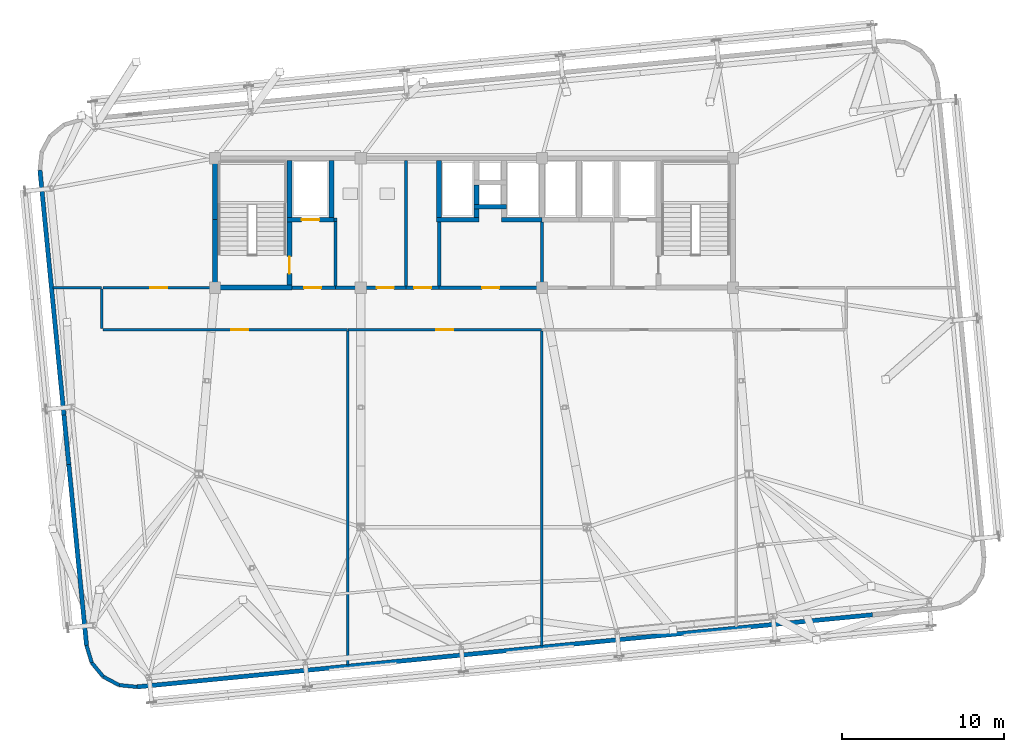
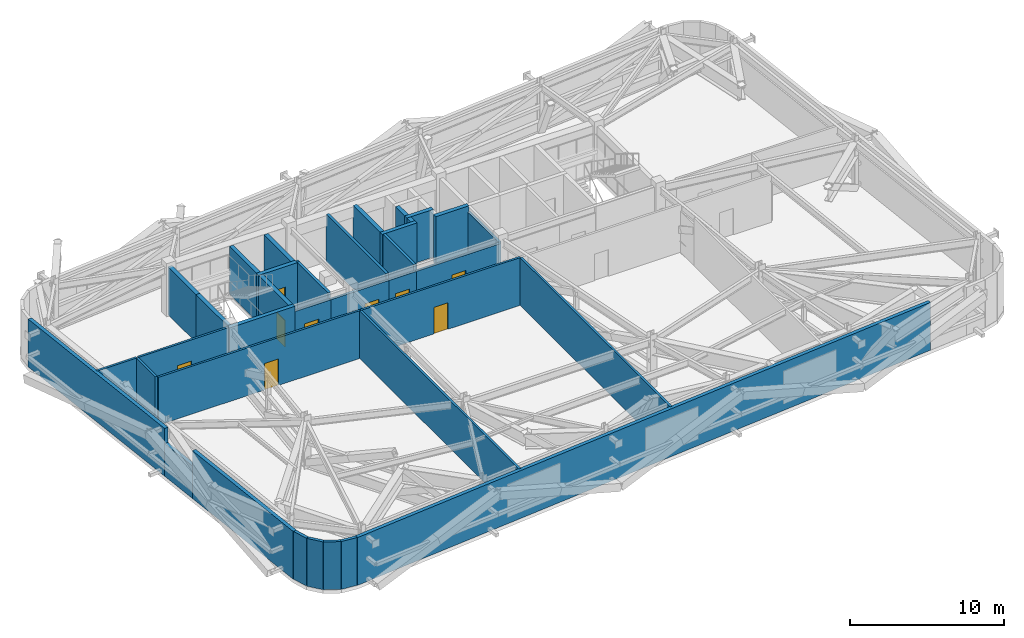
# One storey, part 21 of 24: 37 walls, 9 doors, 9 openings.
"""IFC4 building model written with IfcOpenShell, lengths in metres."""

from ifc_helpers import new_model, si_unit, direction, frame, frame_2d, origin, place, context, subcontext, project, spatial, rectangle, extrude, source, transform, mapped, material, layer, layer_set, type_object, element, fill, save


model = new_model("IFC4")

# Units and contexts
model_context = context("Model", 3, precision=1e-05, world=origin(), true_north=direction((0.0, 1.0)))
body_context = subcontext(model_context, "Body", "Model", "MODEL_VIEW")
ifc_project = project(units=[si_unit("LENGTHUNIT", "METRE"), si_unit("AREAUNIT", "SQUARE_METRE"), si_unit("VOLUMEUNIT", "CUBIC_METRE"), si_unit("PLANEANGLEUNIT", "RADIAN"), si_unit("MASSUNIT", "GRAM", prefix="KILO")], contexts=[model_context])

# Site, building, storey
site_placement = place(None, origin())
site = spatial("IfcSite", under=ifc_project, at=site_placement, CompositionType="ELEMENT")
building_placement = place(site_placement, origin())
building = spatial("IfcBuilding", under=site, at=building_placement, Name="Taldren Reach Tower", CompositionType="ELEMENT")
storey_placement = place(building_placement, frame((0.0, 0.0, 112.35009765625)))
storey = spatial("IfcBuildingStorey", under=building, at=storey_placement, Name="L34", CompositionType="ELEMENT", Elevation=112.35009765625)

# Walls
ifc_material_1 = material(Name="Pale Champagne Anodised Aluminium Cladding", Category="aluminium")
ifc_layer_1 = layer(ifc_material_1, 0.04, Name="Pale Champagne Anodised Aluminium Cladding", Category="aluminium")
ifc_material_2 = material(Name="Mineral Wool Acoustic Insulation", Category="insulation")
ifc_layer_2 = layer(ifc_material_2, 0.06, Name="Mineral Wool Acoustic Insulation", Category="insulation")
ifc_material_3 = material(Name="Steel Gr 350 (C350L0)", Category="steel")
ifc_layer_3 = layer(ifc_material_3, 0.12, Name="Steel Gr 350 (C350L0)", Category="steel")
ifc_layer_set_1 = layer_set([ifc_layer_1, ifc_layer_2, ifc_layer_3], Name="Pale Champagne Aluminium Cladding and Steel Gr 350 Stud Framing")
wall_type_1 = type_object("IfcWallType", Name="EW-CRN-220", PredefinedType="SOLIDWALL", material=ifc_layer_set_1)
shared_shape_1 = source(origin(), body_context, "Body", "SweptSolid", [
    extrude(rectangle(XDim=1.11572265625, YDim=0.219970703125, at=frame_2d((0.557861328125, 0.0))), origin(), (0.0, 0.0, 1.0), 3.77978515625),
])
wall_1_placement = place(storey_placement, frame((12.09326171875, -0.029296875, 0.0), z_axis=(0.0, 0.0, 1.0), x_axis=(0.881746547635, -0.471723463201, 0.0)))
element("IfcWall", 1, at=wall_1_placement, inside=storey, type_object=wall_type_1, Name="Rounded-corner pale-metal facade wall L34-SW3", PredefinedType="SOLIDWALL", context=body_context, shape_type="MappedRepresentation", body=[
    mapped(shared_shape_1, transform((0.0, 0.0, 0.0), scale=1.0)),
])
shared_shape_2 = source(origin(), body_context, "Body", "SweptSolid", [
    extrude(rectangle(XDim=1.115966796875, YDim=0.219970703125, at=frame_2d((0.55810546875, 0.0))), origin(), (0.0, 0.0, 1.0), 3.77978515625),
])
for number, where, z_axis, x_axis, name in (
    (2, (11.062255859375, 1.90185546875, 0.0), (0.0, 0.0, 1.0), (0.289855603468, -0.957070388811, 0.0), "Rounded-corner pale-metal facade wall L34-SW1"),
    (3, (11.3857421875, 0.833740234375, 0.0), (0.0, 0.0, 1.0), (0.633988016432, -0.773342870285, 0.0), "Rounded-corner pale-metal facade wall L34-SW2"),
    (4, (13.0771484375, -0.5556640625, 0.0), (0.0, 0.0, 1.0), (0.995142755671, -0.09844234778, 0.0), "Rounded-corner pale-metal facade wall L34-SW4"),
):
    element("IfcWall", number, at=place(storey_placement, frame(where, z_axis=z_axis, x_axis=x_axis)), inside=storey, type_object=wall_type_1, Name=name, PredefinedType="SOLIDWALL", context=body_context, shape_type="MappedRepresentation", body=[
        mapped(shared_shape_2, transform((0.0, 0.0, 0.0), scale=1.0)),
    ])
ifc_material_4 = material(Name="Perforated Anodised Aluminium Acoustic Liner", Category="aluminium")
ifc_layer_4 = layer(ifc_material_4, 0.04, Name="Perforated Anodised Aluminium Acoustic Liner", Category="aluminium")
ifc_layer_5 = layer(ifc_material_2, 0.08, Name="Mineral Wool Acoustic Insulation", Category="insulation")
ifc_layer_6 = layer(ifc_material_3, 0.15, Name="Steel Gr 350 (C350L0)", Category="steel")
ifc_layer_set_2 = layer_set([ifc_layer_4, ifc_layer_5, ifc_layer_6], Name="Perforated Anodised Aluminium Liner and Steel Gr 350 Stud Framing")
wall_type_2 = type_object("IfcWallType", Name="EW-PLT-270", PredefinedType="SOLIDWALL", material=ifc_layer_set_2)
shared_shape_3 = source(origin(), body_context, "Body", "SweptSolid", [
    extrude(rectangle(XDim=45.648681640625, YDim=0.27001953125, at=frame_2d((22.82421875, 0.0))), origin(), (0.0, 0.0, 1.0), 3.77978515625),
])
wall_2_placement = place(storey_placement, frame((14.187744140625, -0.66552734375, 0.0), z_axis=(0.0, 0.0, 1.0), x_axis=(0.995227292868, 0.097583992185, 0.0)))
element("IfcWall", 5, at=wall_2_placement, inside=storey, type_object=wall_type_2, Name="Plant floor perimeter enclosure wall L34-S", PredefinedType="SOLIDWALL", context=body_context, shape_type="MappedRepresentation", body=[
    mapped(shared_shape_3, transform((0.0, 0.0, 0.0), scale=1.0)),
])
shared_shape_4 = source(origin(), body_context, "Body", "SweptSolid", [
    extrude(rectangle(XDim=15.20654296875, YDim=0.27001953125, at=frame_2d((7.603271484375, 0.0))), origin(), (0.0, 0.0, 1.0), 3.77978515625),
])
wall_3_placement = place(storey_placement, frame((8.18359375, 31.260986328125, 0.0), z_axis=(0.0, 0.0, 1.0), x_axis=(0.097581713594, -0.995227516286, 0.0)))
element("IfcWall", 6, at=wall_3_placement, inside=storey, type_object=wall_type_2, Name="Plant floor perimeter enclosure wall L34-W", PredefinedType="SOLIDWALL", context=body_context, shape_type="MappedRepresentation", body=[
    mapped(shared_shape_4, transform((0.0, 0.0, 0.0), scale=1.0)),
])
shared_shape_5 = source(origin(), body_context, "Body", "SweptSolid", [
    extrude(rectangle(XDim=3.06884765625, YDim=0.27001953125, at=frame_2d((1.534423828125, 0.0))), origin(), (0.0, 0.0, 1.0), 2.579833984375),
])
wall_4_placement = place(storey_placement, frame((9.66748046875, 16.126953125, 0.0), z_axis=(0.0, 0.0, 1.0), x_axis=(0.097613139973, -0.995224434439, 0.0)))
element("IfcWall", 7, at=wall_4_placement, inside=storey, type_object=wall_type_2, Name="Plant floor perimeter enclosure wall L34-W part 2", PredefinedType="SOLIDWALL", context=body_context, shape_type="MappedRepresentation", body=[
    mapped(shared_shape_5, transform((0.0, 0.0, 0.0), scale=1.0)),
])
shared_shape_6 = source(origin(), body_context, "Body", "SweptSolid", [
    extrude(rectangle(XDim=11.224365234375, YDim=0.27001953125, at=frame_2d((5.6123046875, 0.0))), origin(), (0.0, 0.0, 1.0), 3.77978515625),
])
wall_5_placement = place(storey_placement, frame((9.967041015625, 13.07275390625, 0.0), z_axis=(0.0, 0.0, 1.0), x_axis=(0.097573958584, -0.995228276631, 0.0)))
element("IfcWall", 8, at=wall_5_placement, inside=storey, type_object=wall_type_2, Name="Plant floor perimeter enclosure wall L34-W part 3", PredefinedType="SOLIDWALL", context=body_context, shape_type="MappedRepresentation", body=[
    mapped(shared_shape_6, transform((0.0, 0.0, 0.0), scale=1.0)),
])
ifc_material_5 = material(Name="Concrete S65 (65 MPa)", Category="concrete")
ifc_layer_7 = layer(ifc_material_5, 0.300048828125)
ifc_layer_set_3 = layer_set([ifc_layer_7], Name="Concrete S65 (65 MPa)")
wall_type_3 = type_object("IfcWallType", Name="IW-CORE-300", PredefinedType="SHEAR", material=ifc_layer_set_3)
shared_shape_7 = source(origin(), body_context, "Body", "SweptSolid", [
    extrude(rectangle(XDim=4.050048828125, YDim=0.300048828125, at=frame_2d((2.02490234375, 0.0))), origin(), (0.0, 0.0, 1.0), 3.77978515625),
])
wall_6_placement = place(storey_placement, frame((19.0, 24.14990234375, 0.0), z_axis=(0.0, 0.0, 1.0), x_axis=(0.0, 1.0, 0.0)))
element("IfcWall", 9, at=wall_6_placement, inside=storey, type_object=wall_type_3, Name="Rear Core Shear Wall W-CORE-L34-WEST1", PredefinedType="SHEAR", context=body_context, shape_type="MappedRepresentation", body=[
    mapped(shared_shape_7, transform((0.0, 0.0, 0.0), scale=1.0)),
])
shared_shape_8 = source(origin(), body_context, "Body", "SweptSolid", [
    extrude(rectangle(XDim=3.650146484375, YDim=0.300048828125, at=frame_2d((1.8251953125, 0.0))), origin(), (0.0, 0.0, 1.0), 3.77978515625),
])
wall_7_placement = place(storey_placement, frame((19.0, 28.199951171875, 0.0), z_axis=(0.0, 0.0, 1.0), x_axis=(0.0, 1.0, 0.0)))
element("IfcWall", 10, at=wall_7_placement, inside=storey, type_object=wall_type_3, Name="Rear Core Shear Wall W-CORE-L34-WEST2", PredefinedType="SHEAR", context=body_context, shape_type="MappedRepresentation", body=[
    mapped(shared_shape_8, transform((0.0, 0.0, 0.0), scale=1.0)),
])
shared_shape_9 = source(origin(), body_context, "Body", "SweptSolid", [
    extrude(rectangle(XDim=3.5, YDim=0.300048828125, at=frame_2d((1.75, 0.0))), origin(), (0.0, 0.0, 1.0), 3.77978515625),
])
for number, where, z_axis, x_axis, name in (
    (11, (23.60009765625, 28.35009765625, 0.0), (0.0, 0.0, 1.0), (0.0, 1.0, 0.0), "Rear Core Shear Wall W-INT-L34-001"),
    (12, (26.199951171875, 28.35009765625, 0.0), (0.0, 0.0, 1.0), (0.0, 1.0, 0.0), "Rear Core Shear Wall W-INT-L34-005"),
    (13, (32.85009765625, 31.85009765625, 0.0), (0.0, 0.0, 1.0), (0.0, -1.0, 0.0), "Rear Core Shear Wall W-INT-L34-023"),
):
    element("IfcWall", number, at=place(storey_placement, frame(where, z_axis=z_axis, x_axis=x_axis)), inside=storey, type_object=wall_type_3, Name=name, PredefinedType="SHEAR", context=body_context, shape_type="MappedRepresentation", body=[
        mapped(shared_shape_9, transform((0.0, 0.0, 0.0), scale=1.0)),
    ])

# Wall, opening, door
shared_shape_10 = source(origin(), body_context, "Body", "SweptSolid", [
    extrude(rectangle(XDim=3.900146484375, YDim=0.300048828125, at=frame_2d((1.9501953125, 0.0))), origin(), (0.0, 0.0, 1.0), 3.77978515625),
])
wall_8_placement = place(storey_placement, frame((23.60009765625, 24.14990234375, 0.0), z_axis=(0.0, 0.0, 1.0), x_axis=(0.0, 1.0, 0.0)))
wall_8 = element("IfcWall", 14, at=wall_8_placement, inside=storey, type_object=wall_type_3, Name="Rear Core Shear Wall W-INT-L34-002", PredefinedType="SHEAR", context=body_context, shape_type="MappedRepresentation", body=[
    mapped(shared_shape_10, transform((0.0, 0.0, 0.0), scale=1.0)),
])
shared_shape_11 = source(origin(), body_context, "Body", "SweptSolid", [
    extrude(rectangle(XDim=1.050048828125, YDim=2.10009765625, at=frame_2d((0.52490234375, 1.050048828125))), frame((0.0, 0.16015625, 0.0), z_axis=(0.0, -1.0, 0.0), x_axis=(1.0, 0.0, 0.0)), (0.0, 0.0, 1.0), 0.320068359375),
])
opening_1_placement = place(wall_8_placement, frame((0.72509765625, 0.0, 0.0)))
opening_1 = element("IfcOpeningElement", 15, at=opening_1_placement, cuts=wall_8, Name="Opening DF-105", PredefinedType="OPENING", context=body_context, shape_type="MappedRepresentation", body=[
    mapped(shared_shape_11, transform((0.0, 0.0, 0.0), scale=1.0)),
])
ifc_material_6 = material(Name="Fire-Rated Care and Stair Exit Door")
door_type_1 = type_object("IfcDoorType", Name="ID-FIRE-105", OperationType="NOTDEFINED", PredefinedType="DOOR", material=ifc_material_6)
shared_shape_12 = source(origin(), body_context, "Body", "SweptSolid", [
    extrude(rectangle(XDim=1.050048828125, YDim=2.10009765625, at=frame_2d((0.52490234375, 1.050048828125))), frame((0.0, 0.02490234375, 0.0), z_axis=(0.0, -1.0, 0.0), x_axis=(1.0, 0.0, 0.0)), (0.0, 0.0, 1.0), 0.050048828125),
])
door_1_placement = place(opening_1_placement, origin())
door_1 = element("IfcDoor", 16, at=door_1_placement, inside=storey, type_object=door_type_1, Name="Fire Exit Stair Door DR-L34-001", OperationType="SINGLE_SWING_LEFT", OverallHeight=2.10009765625, OverallWidth=1.050048828125, PredefinedType="DOOR", context=body_context, shape_type="MappedRepresentation", body=[
    mapped(shared_shape_12, transform((0.0, 0.0, 0.0), scale=1.0)),
])
fill(opening_1, door_1)

# Wall
shared_shape_13 = source(origin(), body_context, "Body", "SweptSolid", [
    extrude(rectangle(XDim=4.89990234375, YDim=0.300048828125, at=frame_2d((2.449951171875, 0.0))), origin(), (0.0, 0.0, 1.0), 3.77978515625),
])
wall_9_placement = place(storey_placement, frame((18.85009765625, 24.0, 0.0), z_axis=(0.0, 0.0, 1.0), x_axis=(1.0, 0.0, 0.0)))
element("IfcWall", 17, at=wall_9_placement, inside=storey, type_object=wall_type_3, Name="Rear Core Shear Wall W-INT-L34-003", PredefinedType="SHEAR", context=body_context, shape_type="MappedRepresentation", body=[
    mapped(shared_shape_13, transform((0.0, 0.0, 0.0), scale=1.0)),
])

# Wall, opening, door
shared_shape_14 = source(origin(), body_context, "Body", "SweptSolid", [
    extrude(rectangle(XDim=2.900146484375, YDim=0.300048828125, at=frame_2d((1.4501953125, 0.0))), origin(), (0.0, 0.0, 1.0), 3.77978515625),
])
wall_10_placement = place(storey_placement, frame((23.449951171875, 28.199951171875, 0.0), z_axis=(0.0, 0.0, 1.0), x_axis=(1.0, 0.0, 0.0)))
wall_10 = element("IfcWall", 18, at=wall_10_placement, inside=storey, type_object=wall_type_3, Name="Rear Core Shear Wall W-INT-L34-004", PredefinedType="SHEAR", context=body_context, shape_type="MappedRepresentation", body=[
    mapped(shared_shape_14, transform((0.0, 0.0, 0.0), scale=1.0)),
])
shared_shape_15 = source(origin(), body_context, "Body", "SweptSolid", [
    extrude(rectangle(XDim=1.10009765625, YDim=2.14990234375, at=frame_2d((0.550048828125, 1.074951171875))), frame((0.0, 0.16015625, 0.0), z_axis=(0.0, -1.0, 0.0), x_axis=(1.0, 0.0, 0.0)), (0.0, 0.0, 1.0), 0.320068359375),
])
opening_2_placement = place(wall_10_placement, frame((0.89990234375, 0.0, 0.0)))
opening_2 = element("IfcOpeningElement", 19, at=opening_2_placement, cuts=wall_10, Name="Opening LD-FL1", PredefinedType="OPENING", context=body_context, shape_type="MappedRepresentation", body=[
    mapped(shared_shape_15, transform((0.0, 0.0, 0.0), scale=1.0)),
])
ifc_material_7 = material(Name="Stainless Steel Gr 316 Emergency Lift Landing Door", Category="steel")
door_type_2 = type_object("IfcDoorType", Name="LD-EMG-110", OperationType="SLIDING_TO_LEFT", PredefinedType="DOOR", material=ifc_material_7)
shared_shape_16 = source(origin(), body_context, "Body", "SweptSolid", [
    extrude(rectangle(XDim=1.10009765625, YDim=2.14990234375, at=frame_2d((0.550048828125, 1.074951171875))), frame((0.0, 0.02490234375, 0.0), z_axis=(0.0, -1.0, 0.0), x_axis=(1.0, 0.0, 0.0)), (0.0, 0.0, 1.0), 0.050048828125),
])
door_2_placement = place(opening_2_placement, origin())
door_2 = element("IfcDoor", 20, at=door_2_placement, inside=storey, type_object=door_type_2, Name="Lift Landing Door LD-FL1-L34", OperationType="SLIDING_TO_LEFT", OverallHeight=2.14990234375, OverallWidth=1.10009765625, PredefinedType="DOOR", context=body_context, shape_type="MappedRepresentation", body=[
    mapped(shared_shape_16, transform((0.0, 0.0, 0.0), scale=1.0)),
])
fill(opening_2, door_2)

# Wall
ifc_material_8 = material(Name="Concrete S50 (50 MPa)", Category="concrete")
ifc_layer_8 = layer(ifc_material_8, 0.199951171875)
ifc_layer_set_4 = layer_set([ifc_layer_8], Name="Concrete S50 (50 MPa)")
wall_type_4 = type_object("IfcWallType", Name="IW-CORE-200", PredefinedType="SOLIDWALL", material=ifc_layer_set_4)
shared_shape_17 = source(origin(), body_context, "Body", "SweptSolid", [
    extrude(rectangle(XDim=4.0, YDim=0.199951171875, at=frame_2d((2.0, 0.0))), origin(), (0.0, 0.0, 1.0), 3.77978515625),
])
wall_11_placement = place(storey_placement, frame((26.449951171875, 24.10009765625, 0.0), z_axis=(0.0, 0.0, 1.0), x_axis=(0.0, 1.0, 0.0)))
element("IfcWall", 21, at=wall_11_placement, inside=storey, type_object=wall_type_4, Name="Rear Core Shear Wall W-INT-L34-006", PredefinedType="SOLIDWALL", context=body_context, shape_type="MappedRepresentation", body=[
    mapped(shared_shape_17, transform((0.0, 0.0, 0.0), scale=1.0)),
])

# Wall, opening, door
shared_shape_18 = source(origin(), body_context, "Body", "SweptSolid", [
    extrude(rectangle(XDim=2.699951171875, YDim=0.199951171875, at=frame_2d((1.35009765625, 0.0))), origin(), (0.0, 0.0, 1.0), 3.31982421875),
])
wall_12_placement = place(storey_placement, frame((23.75, 24.0, 0.0), z_axis=(0.0, 0.0, 1.0), x_axis=(1.0, 0.0, 0.0)))
wall_12 = element("IfcWall", 22, at=wall_12_placement, inside=storey, type_object=wall_type_4, Name="Rear Core Shear Wall W-INT-L34-007", PredefinedType="SOLIDWALL", context=body_context, shape_type="MappedRepresentation", body=[
    mapped(shared_shape_18, transform((0.0, 0.0, 0.0), scale=1.0)),
])
shared_shape_19 = source(origin(), body_context, "Body", "SweptSolid", [
    extrude(rectangle(XDim=1.050048828125, YDim=2.10009765625, at=frame_2d((0.52490234375, 1.050048828125))), frame((0.0, 0.10986328125, 0.0), z_axis=(0.0, -1.0, 0.0), x_axis=(1.0, 0.0, 0.0)), (0.0, 0.0, 1.0), 0.219970703125),
])
opening_3_placement = place(wall_12_placement, frame((0.75, 0.0, 0.0)))
opening_3 = element("IfcOpeningElement", 23, at=opening_3_placement, cuts=wall_12, Name="Opening DF-105", PredefinedType="OPENING", context=body_context, shape_type="MappedRepresentation", body=[
    mapped(shared_shape_19, transform((0.0, 0.0, 0.0), scale=1.0)),
])
door_3_placement = place(opening_3_placement, origin())
door_3 = element("IfcDoor", 24, at=door_3_placement, inside=storey, type_object=door_type_1, Name="Interior Door DR-L34-002", OperationType="SINGLE_SWING_LEFT", OverallHeight=2.10009765625, OverallWidth=1.050048828125, PredefinedType="DOOR", context=body_context, shape_type="MappedRepresentation", body=[
    mapped(shared_shape_12, transform((0.0, 0.0, 0.0), scale=1.0)),
])
fill(opening_3, door_3)

# Walls
shared_shape_20 = source(origin(), body_context, "Body", "SweptSolid", [
    extrude(rectangle(XDim=3.949951171875, YDim=0.199951171875, at=frame_2d((1.97509765625, 0.0))), origin(), (0.0, 0.0, 1.0), 3.77978515625),
])
wall_13_placement = place(storey_placement, frame((32.85009765625, 28.050048828125, 0.0), z_axis=(0.0, 0.0, 1.0), x_axis=(0.0, -1.0, 0.0)))
element("IfcWall", 25, at=wall_13_placement, inside=storey, type_object=wall_type_4, Name="Rear Core Shear Wall W-INT-L34-032", PredefinedType="SOLIDWALL", context=body_context, shape_type="MappedRepresentation", body=[
    mapped(shared_shape_20, transform((0.0, 0.0, 0.0), scale=1.0)),
])
shared_shape_21 = source(origin(), body_context, "Body", "SweptSolid", [
    extrude(rectangle(XDim=2.0, YDim=0.300048828125, at=frame_2d((1.0, 0.0))), origin(), (0.0, 0.0, 1.0), 3.77978515625),
])
wall_14_placement = place(storey_placement, frame((35.0, 29.0, 0.0), z_axis=(0.0, 0.0, 1.0), x_axis=(1.0, 0.0, 0.0)))
element("IfcWall", 26, at=wall_14_placement, inside=storey, type_object=wall_type_3, Name="Rear Core Shear Wall W-INT-L34-020", PredefinedType="SHEAR", context=body_context, shape_type="MappedRepresentation", body=[
    mapped(shared_shape_21, transform((0.0, 0.0, 0.0), scale=1.0)),
])
shared_shape_22 = source(origin(), body_context, "Body", "SweptSolid", [
    extrude(rectangle(XDim=1.2001953125, YDim=0.300048828125, at=frame_2d((0.60009765625, 0.0))), origin(), (0.0, 0.0, 1.0), 3.77978515625),
])
wall_15_placement = place(storey_placement, frame((35.14990234375, 30.35009765625, 0.0), z_axis=(0.0, 0.0, 1.0), x_axis=(0.0, -1.0, 0.0)))
element("IfcWall", 27, at=wall_15_placement, inside=storey, type_object=wall_type_3, Name="Rear Core Shear Wall W-INT-L34-018", PredefinedType="SHEAR", context=body_context, shape_type="MappedRepresentation", body=[
    mapped(shared_shape_22, transform((0.0, 0.0, 0.0), scale=1.0)),
])
shared_shape_23 = source(origin(), body_context, "Body", "SweptSolid", [
    extrude(rectangle(XDim=7.75, YDim=0.199951171875, at=frame_2d((3.875, 0.0))), origin(), (0.0, 0.0, 1.0), 3.77978515625),
])
wall_16_placement = place(storey_placement, frame((30.800048828125, 31.85009765625, 0.0), z_axis=(0.0, 0.0, 1.0), x_axis=(0.0, -1.0, 0.0)))
element("IfcWall", 28, at=wall_16_placement, inside=storey, type_object=wall_type_4, Name="Rear Core Shear Wall W-INT-L34-021", PredefinedType="SOLIDWALL", context=body_context, shape_type="MappedRepresentation", body=[
    mapped(shared_shape_23, transform((0.0, 0.0, 0.0), scale=1.0)),
])

# Wall, opening, door
shared_shape_24 = source(origin(), body_context, "Body", "SweptSolid", [
    extrude(rectangle(XDim=4.35009765625, YDim=0.199951171875, at=frame_2d((2.175048828125, 0.0))), origin(), (0.0, 0.0, 1.0), 3.31982421875),
])
wall_17_placement = place(storey_placement, frame((30.800048828125, 24.0, 0.0), z_axis=(0.0, 0.0, 1.0), x_axis=(-1.0, 0.0, 0.0)))
wall_17 = element("IfcWall", 29, at=wall_17_placement, inside=storey, type_object=wall_type_4, Name="Rear Core Shear Wall W-INT-L34-022", PredefinedType="SOLIDWALL", context=body_context, shape_type="MappedRepresentation", body=[
    mapped(shared_shape_24, transform((0.0, 0.0, 0.0), scale=1.0)),
])
opening_4_placement = place(wall_17_placement, frame((0.75, 0.0, 0.0)))
opening_4 = element("IfcOpeningElement", 30, at=opening_4_placement, cuts=wall_17, Name="Opening DF-105", PredefinedType="OPENING", context=body_context, shape_type="MappedRepresentation", body=[
    mapped(shared_shape_19, transform((0.0, 0.0, 0.0), scale=1.0)),
])
door_4_placement = place(opening_4_placement, frame((1.050048828125, 0.0, 0.0), z_axis=(0.0, 0.0, 1.0), x_axis=(-1.0, 0.0, 0.0)))
door_4 = element("IfcDoor", 31, at=door_4_placement, inside=storey, type_object=door_type_1, Name="Interior Door DR-L34-005", OperationType="SINGLE_SWING_RIGHT", OverallHeight=2.10009765625, OverallWidth=1.050048828125, PredefinedType="DOOR", context=body_context, shape_type="MappedRepresentation", body=[
    mapped(shared_shape_12, transform((0.0, 0.0, 0.0), scale=1.0)),
])
fill(opening_4, door_4)

# Walls
shared_shape_25 = source(origin(), body_context, "Body", "SweptSolid", [
    extrude(rectangle(XDim=2.60009765625, YDim=0.300048828125, at=frame_2d((1.300048828125, 0.0))), origin(), (0.0, 0.0, 1.0), 3.77978515625),
])
wall_18_placement = place(storey_placement, frame((32.699951171875, 28.199951171875, 0.0), z_axis=(0.0, 0.0, 1.0), x_axis=(1.0, 0.0, 0.0)))
element("IfcWall", 32, at=wall_18_placement, inside=storey, type_object=wall_type_3, Name="Rear Core Shear Wall W-INT-L34-024", PredefinedType="SHEAR", context=body_context, shape_type="MappedRepresentation", body=[
    mapped(shared_shape_25, transform((0.0, 0.0, 0.0), scale=1.0)),
])
shared_shape_26 = source(origin(), body_context, "Body", "SweptSolid", [
    extrude(rectangle(XDim=0.5, YDim=0.300048828125, at=frame_2d((0.25, 0.0))), origin(), (0.0, 0.0, 1.0), 3.77978515625),
])
wall_19_placement = place(storey_placement, frame((35.14990234375, 28.35009765625, 0.0), z_axis=(0.0, 0.0, 1.0), x_axis=(0.0, 1.0, 0.0)))
element("IfcWall", 33, at=wall_19_placement, inside=storey, type_object=wall_type_3, Name="Rear Core Shear Wall W-INT-L34-025", PredefinedType="SHEAR", context=body_context, shape_type="MappedRepresentation", body=[
    mapped(shared_shape_26, transform((0.0, 0.0, 0.0), scale=1.0)),
])
shared_shape_27 = source(origin(), body_context, "Body", "SweptSolid", [
    extrude(rectangle(XDim=2.5, YDim=0.300048828125, at=frame_2d((1.25, 0.0))), origin(), (0.0, 0.0, 1.0), 3.77978515625),
])
wall_20_placement = place(storey_placement, frame((36.699951171875, 28.199951171875, 0.0), z_axis=(0.0, 0.0, 1.0), x_axis=(1.0, 0.0, 0.0)))
element("IfcWall", 34, at=wall_20_placement, inside=storey, type_object=wall_type_3, Name="Rear Core Shear Wall W-INT-L34-027", PredefinedType="SHEAR", context=body_context, shape_type="MappedRepresentation", body=[
    mapped(shared_shape_27, transform((0.0, 0.0, 0.0), scale=1.0)),
])

# Wall, opening, door
shared_shape_28 = source(origin(), body_context, "Body", "SweptSolid", [
    extrude(rectangle(XDim=2.050048828125, YDim=0.199951171875, at=frame_2d((1.02490234375, 0.0))), origin(), (0.0, 0.0, 1.0), 3.31982421875),
])
wall_21_placement = place(storey_placement, frame((32.85009765625, 24.0, 0.0), z_axis=(0.0, 0.0, 1.0), x_axis=(-1.0, 0.0, 0.0)))
wall_21 = element("IfcWall", 35, at=wall_21_placement, inside=storey, type_object=wall_type_4, Name="Rear Core Shear Wall W-INT-L34-033", PredefinedType="SOLIDWALL", context=body_context, shape_type="MappedRepresentation", body=[
    mapped(shared_shape_28, transform((0.0, 0.0, 0.0), scale=1.0)),
])
opening_5_placement = place(wall_21_placement, frame((0.5, 0.0, 0.0)))
opening_5 = element("IfcOpeningElement", 36, at=opening_5_placement, cuts=wall_21, Name="Opening DF-105", PredefinedType="OPENING", context=body_context, shape_type="MappedRepresentation", body=[
    mapped(shared_shape_19, transform((0.0, 0.0, 0.0), scale=1.0)),
])
door_5_placement = place(opening_5_placement, frame((1.050048828125, 0.0, 0.0), z_axis=(0.0, 0.0, 1.0), x_axis=(-1.0, 0.0, 0.0)))
door_5 = element("IfcDoor", 37, at=door_5_placement, inside=storey, type_object=door_type_1, Name="Interior Door DR-L34-006", OperationType="SINGLE_SWING_RIGHT", OverallHeight=2.10009765625, OverallWidth=1.050048828125, PredefinedType="DOOR", context=body_context, shape_type="MappedRepresentation", body=[
    mapped(shared_shape_12, transform((0.0, 0.0, 0.0), scale=1.0)),
])
fill(opening_5, door_5)

# Wall
shared_shape_29 = source(origin(), body_context, "Body", "SweptSolid", [
    extrude(rectangle(XDim=3.949951171875, YDim=0.199951171875, at=frame_2d((1.97509765625, 0.0))), origin(), (0.0, 0.0, 1.0), 3.31982421875),
])
wall_22_placement = place(storey_placement, frame((39.199951171875, 28.050048828125, 0.0), z_axis=(0.0, 0.0, 1.0), x_axis=(0.0, -1.0, 0.0)))
element("IfcWall", 38, at=wall_22_placement, inside=storey, type_object=wall_type_4, Name="Rear Core Shear Wall W-INT-L34-034", PredefinedType="SOLIDWALL", context=body_context, shape_type="MappedRepresentation", body=[
    mapped(shared_shape_29, transform((0.0, 0.0, 0.0), scale=1.0)),
])

# Wall, opening, door
shared_shape_30 = source(origin(), body_context, "Body", "SweptSolid", [
    extrude(rectangle(XDim=6.349853515625, YDim=0.199951171875, at=frame_2d((3.1748046875, 0.0))), origin(), (0.0, 0.0, 1.0), 3.31982421875),
])
wall_23_placement = place(storey_placement, frame((39.199951171875, 24.0, 0.0), z_axis=(0.0, 0.0, 1.0), x_axis=(-1.0, 0.0, 0.0)))
wall_23 = element("IfcWall", 39, at=wall_23_placement, inside=storey, type_object=wall_type_4, Name="Rear Core Shear Wall W-INT-L34-035", PredefinedType="SOLIDWALL", context=body_context, shape_type="MappedRepresentation", body=[
    mapped(shared_shape_30, transform((0.0, 0.0, 0.0), scale=1.0)),
])
opening_6_placement = place(wall_23_placement, frame((2.64990234375, 0.0, 0.0)))
opening_6 = element("IfcOpeningElement", 40, at=opening_6_placement, cuts=wall_23, Name="Opening DF-105", PredefinedType="OPENING", context=body_context, shape_type="MappedRepresentation", body=[
    mapped(shared_shape_19, transform((0.0, 0.0, 0.0), scale=1.0)),
])
door_6_placement = place(opening_6_placement, frame((1.050048828125, 0.0, 0.0), z_axis=(0.0, 0.0, 1.0), x_axis=(-1.0, 0.0, 0.0)))
door_6 = element("IfcDoor", 41, at=door_6_placement, inside=storey, type_object=door_type_1, Name="Interior Door DR-L34-007", OperationType="SINGLE_SWING_LEFT", OverallHeight=2.10009765625, OverallWidth=1.050048828125, PredefinedType="DOOR", context=body_context, shape_type="MappedRepresentation", body=[
    mapped(shared_shape_12, transform((0.0, 0.0, 0.0), scale=1.0)),
])
fill(opening_6, door_6)

ifc_material_9 = material(Name="Fire-Rated Acoustic Plasterboard Stud Wall", Category="gypsum")
ifc_layer_9 = layer(ifc_material_9, 0.159912109375)
ifc_layer_set_5 = layer_set([ifc_layer_9], Name="Fire-Rated Acoustic Plasterboard Stud Wall")
wall_type_5 = type_object("IfcWallType", Name="IW-FIRE-160", PredefinedType="PARTITIONING", material=ifc_layer_set_5)
shared_shape_31 = source(origin(), body_context, "Body", "SweptSolid", [
    extrude(rectangle(XDim=6.77001953125, YDim=0.159912109375, at=frame_2d((3.385009765625, 0.0))), origin(), (0.0, 0.0, 1.0), 3.77978515625),
])
wall_24_placement = place(storey_placement, frame((12.080078125, 24.0, 0.0), z_axis=(0.0, 0.0, 1.0), x_axis=(1.0, 0.0, 0.0)))
wall_24 = element("IfcWall", 42, at=wall_24_placement, inside=storey, type_object=wall_type_5, Name="Interior Partition Wall W-INT-L34-037", PredefinedType="PARTITIONING", context=body_context, shape_type="MappedRepresentation", body=[
    mapped(shared_shape_31, transform((0.0, 0.0, 0.0), scale=1.0)),
])
shared_shape_32 = source(origin(), body_context, "Body", "SweptSolid", [
    extrude(rectangle(XDim=1.050048828125, YDim=2.10009765625, at=frame_2d((0.52490234375, 1.050048828125))), frame((0.0, 0.08984375, 0.0), z_axis=(0.0, -1.0, 0.0), x_axis=(1.0, 0.0, 0.0)), (0.0, 0.0, 1.0), 0.179931640625),
])
opening_7_placement = place(wall_24_placement, frame((2.9248046875, 0.0, 0.0)))
opening_7 = element("IfcOpeningElement", 43, at=opening_7_placement, cuts=wall_24, Name="Opening DF-105", PredefinedType="OPENING", context=body_context, shape_type="MappedRepresentation", body=[
    mapped(shared_shape_32, transform((0.0, 0.0, 0.0), scale=1.0)),
])
door_7_placement = place(opening_7_placement, origin())
door_7 = element("IfcDoor", 44, at=door_7_placement, inside=storey, type_object=door_type_1, Name="Interior Door DR-L34-009", OperationType="SINGLE_SWING_RIGHT", OverallHeight=2.10009765625, OverallWidth=1.050048828125, PredefinedType="DOOR", context=body_context, shape_type="MappedRepresentation", body=[
    mapped(shared_shape_12, transform((0.0, 0.0, 0.0), scale=1.0)),
])
fill(opening_7, door_7)

shared_shape_33 = source(origin(), body_context, "Body", "SweptSolid", [
    extrude(rectangle(XDim=15.099609375, YDim=0.159912109375, at=frame_2d((7.5498046875, 0.0))), origin(), (0.0, 0.0, 1.0), 3.77978515625),
])
wall_25_placement = place(storey_placement, frame((27.1796875, 21.39990234375, 0.0), z_axis=(0.0, 0.0, 1.0), x_axis=(-1.0, 0.0, 0.0)))
wall_25 = element("IfcWall", 45, at=wall_25_placement, inside=storey, type_object=wall_type_5, Name="Interior Partition Wall W-INT-L34-039", PredefinedType="PARTITIONING", context=body_context, shape_type="MappedRepresentation", body=[
    mapped(shared_shape_33, transform((0.0, 0.0, 0.0), scale=1.0)),
])
opening_8_placement = place(wall_25_placement, frame((6.125, 0.0, 0.0)))
opening_8 = element("IfcOpeningElement", 46, at=opening_8_placement, cuts=wall_25, Name="Opening DF-105", PredefinedType="OPENING", context=body_context, shape_type="MappedRepresentation", body=[
    mapped(shared_shape_32, transform((0.0, 0.0, 0.0), scale=1.0)),
])
door_8_placement = place(opening_8_placement, origin())
door_8 = element("IfcDoor", 47, at=door_8_placement, inside=storey, type_object=door_type_1, Name="Interior Door DR-L34-011", OperationType="SINGLE_SWING_LEFT", OverallHeight=2.10009765625, OverallWidth=1.050048828125, PredefinedType="DOOR", context=body_context, shape_type="MappedRepresentation", body=[
    mapped(shared_shape_12, transform((0.0, 0.0, 0.0), scale=1.0)),
])
fill(opening_8, door_8)

# Wall
shared_shape_34 = source(origin(), body_context, "Body", "SweptSolid", [
    extrude(rectangle(XDim=2.43994140625, YDim=0.159912109375, at=frame_2d((1.219970703125, 0.0))), origin(), (0.0, 0.0, 1.0), 3.77978515625),
])
wall_26_placement = place(storey_placement, frame((12.0, 21.47998046875, 0.0), z_axis=(0.0, 0.0, 1.0), x_axis=(0.0, 1.0, 0.0)))
element("IfcWall", 48, at=wall_26_placement, inside=storey, type_object=wall_type_5, Name="Interior Partition Wall W-INT-L34-040", PredefinedType="PARTITIONING", context=body_context, shape_type="MappedRepresentation", body=[
    mapped(shared_shape_34, transform((0.0, 0.0, 0.0), scale=1.0)),
])

# Wall, opening, door
shared_shape_35 = source(origin(), body_context, "Body", "SweptSolid", [
    extrude(rectangle(XDim=11.95947265625, YDim=0.159912109375, at=frame_2d((5.979736328125, 0.0))), origin(), (0.0, 0.0, 1.0), 3.77978515625),
])
wall_27_placement = place(storey_placement, frame((39.1796875, 21.39990234375, 0.0), z_axis=(0.0, 0.0, 1.0), x_axis=(-1.0, 0.0, 0.0)))
wall_27 = element("IfcWall", 49, at=wall_27_placement, inside=storey, type_object=wall_type_5, Name="Interior Partition Wall W-INT-L34-041", PredefinedType="PARTITIONING", context=body_context, shape_type="MappedRepresentation", body=[
    mapped(shared_shape_35, transform((0.0, 0.0, 0.0), scale=1.0)),
])
opening_9_placement = place(wall_27_placement, frame((5.454833984375, 0.0, 0.0)))
opening_9 = element("IfcOpeningElement", 50, at=opening_9_placement, cuts=wall_27, Name="Opening DF-105", PredefinedType="OPENING", context=body_context, shape_type="MappedRepresentation", body=[
    mapped(shared_shape_32, transform((0.0, 0.0, 0.0), scale=1.0)),
])
door_9_placement = place(opening_9_placement, origin())
door_9 = element("IfcDoor", 51, at=door_9_placement, inside=storey, type_object=door_type_1, Name="Interior Door DR-L34-012", OperationType="SINGLE_SWING_LEFT", OverallHeight=2.10009765625, OverallWidth=1.050048828125, PredefinedType="DOOR", context=body_context, shape_type="MappedRepresentation", body=[
    mapped(shared_shape_12, transform((0.0, 0.0, 0.0), scale=1.0)),
])
fill(opening_9, door_9)

# Walls
shared_shape_36 = source(origin(), body_context, "Body", "SweptSolid", [
    extrude(rectangle(XDim=3.001708984375, YDim=0.159912109375, at=frame_2d((1.5009765625, 0.0))), origin(), (0.0, 0.0, 1.0), 3.77978515625),
])
wall_28_placement = place(storey_placement, frame((11.979736328125, 24.0, 0.0), z_axis=(0.0, 0.0, 1.0), x_axis=(-1.0, 0.0, 0.0)))
element("IfcWall", 52, at=wall_28_placement, inside=storey, type_object=wall_type_5, Name="Interior Partition Wall W-INT-L34-045", PredefinedType="PARTITIONING", context=body_context, shape_type="MappedRepresentation", body=[
    mapped(shared_shape_36, transform((0.0, 0.0, 0.0), scale=1.0)),
])
shared_shape_37 = source(origin(), body_context, "Body", "SweptSolid", [
    extrude(rectangle(XDim=20.627197265625, YDim=0.159912109375, at=frame_2d((10.3134765625, 0.0))), origin(), (0.0, 0.0, 1.0), 3.77978515625),
])
wall_29_placement = place(storey_placement, frame((27.199951171875, 21.320068359375, 0.0), z_axis=(0.0, 0.0, 1.0), x_axis=(0.0, -1.0, 0.0)))
element("IfcWall", 53, at=wall_29_placement, inside=storey, type_object=wall_type_5, Name="Interior Partition Wall W-INT-L34-047", PredefinedType="PARTITIONING", context=body_context, shape_type="MappedRepresentation", body=[
    mapped(shared_shape_37, transform((0.0, 0.0, 0.0), scale=1.0)),
])
shared_shape_38 = source(origin(), body_context, "Body", "SweptSolid", [
    extrude(rectangle(XDim=19.45068359375, YDim=0.159912109375, at=frame_2d((9.725341796875, 0.0))), origin(), (0.0, 0.0, 1.0), 3.77978515625),
])
wall_30_placement = place(storey_placement, frame((39.199951171875, 21.320068359375, 0.0), z_axis=(0.0, 0.0, 1.0), x_axis=(0.0, -1.0, 0.0)))
element("IfcWall", 54, at=wall_30_placement, inside=storey, type_object=wall_type_5, Name="Interior Partition Wall W-INT-L34-048", PredefinedType="PARTITIONING", context=body_context, shape_type="MappedRepresentation", body=[
    mapped(shared_shape_38, transform((0.0, 0.0, 0.0), scale=1.0)),
])
shared_shape_39 = source(origin(), body_context, "Body", "SweptSolid", [
    extrude(rectangle(XDim=0.199951171875, YDim=0.199951171875, at=frame_2d((0.10009765625, 0.0))), origin(), (0.0, 0.0, 1.0), 3.77978515625),
])
wall_31_placement = place(storey_placement, frame((26.35009765625, 28.199951171875, 0.0), z_axis=(0.0, 0.0, 1.0), x_axis=(1.0, 0.0, 0.0)))
element("IfcWall", 55, at=wall_31_placement, inside=storey, type_object=wall_type_4, Name="Rear Core Partition Wall W-INT-L34-050", PredefinedType="SOLIDWALL", context=body_context, shape_type="MappedRepresentation", body=[
    mapped(shared_shape_39, transform((0.0, 0.0, 0.0), scale=1.0)),
])

save(model, "model.ifc")
